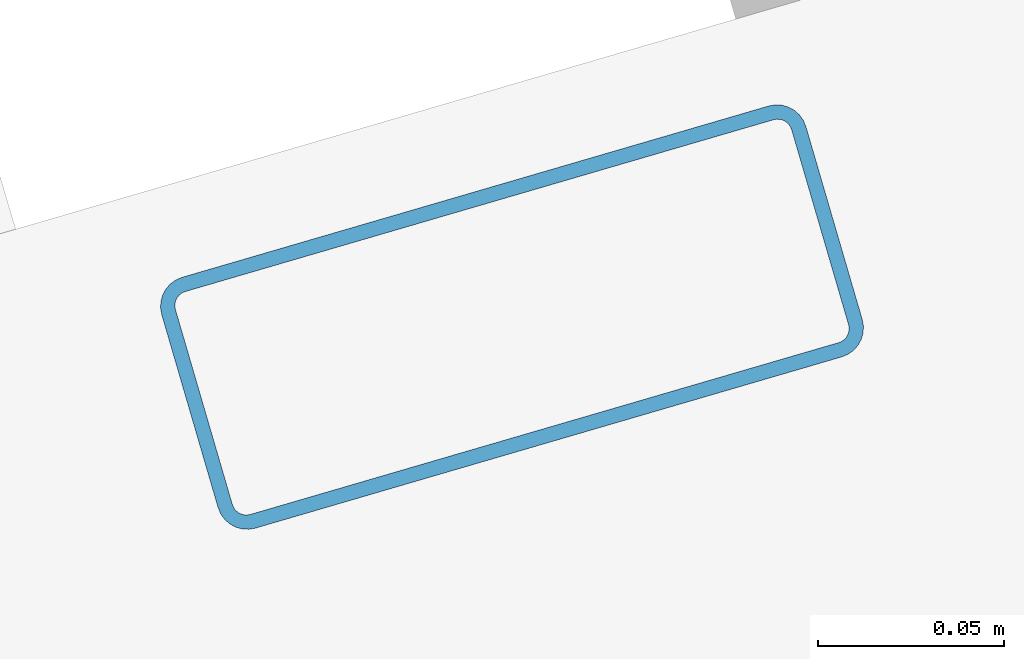
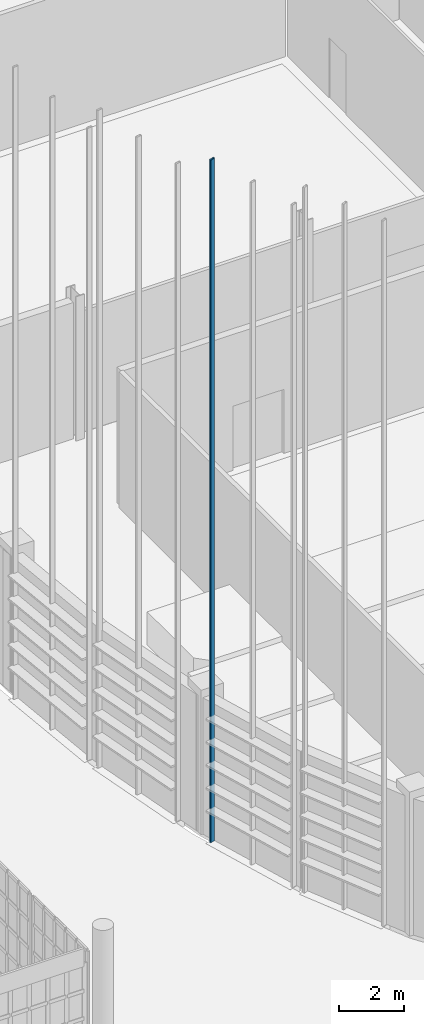
# One storey, part 75 of 372: 1 member.
"""IFC4 building model written with IfcOpenShell, lengths in metres."""

import ifcopenshell
import ifcopenshell.guid

model = None  # the IFC model being written
_history = None  # IfcOwnerHistory: only IFC2X3 demands one
_inside = {}  # id of a spatial element -> (the spatial element, [elements in it])
_under = {}  # id of a project, library or spatial element -> (it, [spatial elements below it])
_declared = {}  # id of a project -> (the project, [libraries it declares])
_typed = {}  # id of a type object -> (the type object, [elements of that type])
_made_of = {}  # id of a material, layer set ... -> (it, [elements and type objects made of it])


def new_model(schema):
    """Start an empty IFC model of exactly this schema.

    Asked for "IFC4X3", IfcOpenShell would pick the latest addendum, in which some entities
    have other attributes; the version numbers below select the first issue.
    IFC2X3 requires an IfcOwnerHistory on every rooted entity: one is made here for all.
    """
    global model, _history
    if schema == "IFC4X3":
        model = ifcopenshell.file(schema_version=(4, 3, 0, 0))
    else:
        model = ifcopenshell.file(schema=schema)
    _inside.clear()
    _under.clear()
    _declared.clear()
    _typed.clear()
    _made_of.clear()
    _history = None
    if model.schema == "IFC2X3":
        org = make("IfcOrganization", Name="unknown")
        user = make(
            "IfcPersonAndOrganization",
            ThePerson=make("IfcPerson", FamilyName="unknown"),
            TheOrganization=org,
        )
        app = make(
            "IfcApplication",
            ApplicationDeveloper=org,
            Version="unknown",
            ApplicationFullName="unknown",
            ApplicationIdentifier="unknown",
        )
        _history = make(
            "IfcOwnerHistory",
            OwningUser=user,
            OwningApplication=app,
            ChangeAction="ADDED",
            CreationDate=0,
        )
    return model


def make(cls, **values):
    """One entity of the class cls with the attributes given. An attribute that is None is left unset."""
    return model.create_entity(
        cls, **{name: value for name, value in values.items() if value is not None}
    )


def rooted(cls, **values):
    """An entity with a GlobalId (a new one), such as an element, a storey or a relation."""
    return make(cls, GlobalId=ifcopenshell.guid.new(), OwnerHistory=_history, **values)


def si_unit(unit_type, name, prefix=None):
    """IfcSIUnit, for example si_unit("LENGTHUNIT", "METRE", prefix="MILLI")."""
    return make("IfcSIUnit", UnitType=unit_type, Prefix=prefix, Name=name)


def assignment(units):
    """IfcUnitAssignment: the units of a project."""
    return None if units is None else make("IfcUnitAssignment", Units=units)


def point(xyz):
    """IfcCartesianPoint."""
    return None if xyz is None else make("IfcCartesianPoint", Coordinates=xyz)


def direction(xyz):
    """IfcDirection."""
    return None if xyz is None else make("IfcDirection", DirectionRatios=xyz)


def frame(location, z_axis=None, x_axis=None):
    """IfcAxis2Placement3D, a coordinate frame: its origin and axes. An axis left out is left unset."""
    return make(
        "IfcAxis2Placement3D",
        Location=point(location),
        Axis=direction(z_axis),
        RefDirection=direction(x_axis),
    )


def frame_2d(location, x_axis=None):
    """IfcAxis2Placement2D, a coordinate frame in the plane: its origin and x axis."""
    return make(
        "IfcAxis2Placement2D", Location=point(location), RefDirection=direction(x_axis)
    )


def origin():
    """The frame at (0, 0, 0) with its axes left unset."""
    return frame((0.0, 0.0, 0.0))


def origin_2d():
    """The frame at (0, 0) in the plane with its x axis left unset."""
    return frame_2d((0.0, 0.0))


def place(relative_to, where):
    """IfcLocalPlacement: puts the frame where relative to a parent placement (None: the world)."""
    return make(
        "IfcLocalPlacement", PlacementRelTo=relative_to, RelativePlacement=where
    )


def context(
    kind, dimensions, precision=None, world=None, true_north=None, identifier=None
):
    """IfcGeometricRepresentationContext, for example the 3D "Model" context."""
    return make(
        "IfcGeometricRepresentationContext",
        ContextIdentifier=identifier,
        ContextType=kind,
        CoordinateSpaceDimension=dimensions,
        Precision=precision,
        WorldCoordinateSystem=world,
        TrueNorth=true_north,
    )


def subcontext(parent, identifier, kind, view, scale=None):
    """IfcGeometricRepresentationSubContext, for example "Body" below "Model"."""
    return make(
        "IfcGeometricRepresentationSubContext",
        ContextIdentifier=identifier,
        ContextType=kind,
        ParentContext=parent,
        TargetScale=scale,
        TargetView=view,
    )


def project(units=None, contexts=None):
    """IfcProject with its units and contexts."""
    return rooted(
        "IfcProject",
        Name="project",
        RepresentationContexts=contexts,
        UnitsInContext=assignment(units),
    )


def spatial(cls, under=None, at=None, **own):
    """A site, building, storey or space (cls), placed at a placement, below another one or the project."""
    s = rooted(cls, ObjectPlacement=at, **own)
    if under is not None:
        _under.setdefault(under.id(), (under, []))[1].append(s)
    return s


def profile(cls, at=None, kind="AREA", **sizes):
    """A parametric profile (cls). Its sizes go by their IFC names, for example OverallWidth=200.0."""
    return make(cls, ProfileType=kind, Position=at, **sizes)


def hollow_rectangle(**sizes):
    """IfcRectangleHollowProfileDef."""
    return profile("IfcRectangleHollowProfileDef", **sizes)


def extrude(swept, where, along, depth):
    """IfcExtrudedAreaSolid: the profile swept, set in the frame where, extruded along a direction by depth."""
    return make(
        "IfcExtrudedAreaSolid",
        SweptArea=swept,
        Position=where,
        ExtrudedDirection=direction(along),
        Depth=depth,
    )


def shape(context_of_items, identifier, shape_type, items):
    """IfcShapeRepresentation: the items that make up one representation, for example the "Body"."""
    return make(
        "IfcShapeRepresentation",
        ContextOfItems=context_of_items,
        RepresentationIdentifier=identifier,
        RepresentationType=shape_type,
        Items=items,
    )


def material(Name=None, Category=None):
    """IfcMaterial."""
    return make("IfcMaterial", Name=Name, Category=Category)


def material_profile(
    of_material, cross_section, Name=None, Category=None, Priority=None
):
    """IfcMaterialProfile: a cross section and its material."""
    return make(
        "IfcMaterialProfile",
        Name=Name,
        Material=of_material,
        Profile=cross_section,
        Priority=Priority,
        Category=Category,
    )


def profile_set(profiles, Name=None, composite=None):
    """IfcMaterialProfileSet."""
    return make(
        "IfcMaterialProfileSet",
        Name=Name,
        MaterialProfiles=profiles,
        CompositeProfile=composite,
    )


def made_of(thing, what):
    """Note that an element or type object is made of a material, layer set ...; save() writes the relation."""
    if what is not None:
        _made_of.setdefault(what.id(), (what, []))[1].append(thing)
    return thing


def type_object(cls, material=None, **own):
    """A type object (cls), such as IfcWallType, which elements share."""
    return made_of(rooted(cls, **own), material)


def element(
    cls,
    number,
    at=None,
    inside=None,
    cuts=None,
    type_object=None,
    material=None,
    context=None,
    identifier="Body",
    shape_type=None,
    held_by="IfcProductDefinitionShape",
    body=None,
    shapes=None,
    **own,
):
    """One element of the class cls, such as IfcWall. Its Tag is "e" and its number.

    at: its placement. inside: the storey or other place that contains it. cuts: it is an
    opening in that element (IfcRelVoidsElement). A single representation is given by context,
    identifier, shape_type and body (its items); several are given by shapes. held_by: the class
    of the entity that holds the representations. save() writes the other relations.
    """
    e = rooted(cls, Tag="e%d" % number, ObjectPlacement=at, **own)
    if body is not None:
        shapes = [shape(context, identifier, shape_type, body)]
    if shapes is not None:
        e.Representation = make(held_by, Representations=shapes)
    if inside is not None:
        _inside.setdefault(inside.id(), (inside, []))[1].append(e)
    if cuts is not None:
        rooted(
            "IfcRelVoidsElement", RelatingBuildingElement=cuts, RelatedOpeningElement=e
        )
    if type_object is not None:
        _typed.setdefault(type_object.id(), (type_object, []))[1].append(e)
    return made_of(e, material)


def aggregate(whole, parts):
    """IfcRelAggregates: a whole, such as a stair, and the parts it consists of."""
    return rooted("IfcRelAggregates", RelatingObject=whole, RelatedObjects=parts)


def save(model, path):
    """Write the relations noted so far, then the file.

    IfcRelAggregates (storeys below a building ...), IfcRelContainedInSpatialStructure (elements
    in a storey), IfcRelDefinesByType, IfcRelAssociatesMaterial and IfcRelDeclares: one each for
    every whole, place, type object, material and project.
    """
    for whole, parts in _under.values():
        aggregate(whole, parts)
    for where, things in _inside.values():
        rooted(
            "IfcRelContainedInSpatialStructure",
            RelatedElements=things,
            RelatingStructure=where,
        )
    for kind, things in _typed.values():
        rooted("IfcRelDefinesByType", RelatedObjects=things, RelatingType=kind)
    for what, things in _made_of.values():
        rooted("IfcRelAssociatesMaterial", RelatedObjects=things, RelatingMaterial=what)
    for by, libraries in _declared.values():
        rooted("IfcRelDeclares", RelatingContext=by, RelatedDefinitions=libraries)
    model.write(path)


model = new_model("IFC4")

# Units and contexts
model_context = context("Model", 3, precision=1e-05, world=origin(), true_north=direction((0.0, 1.0)))
body_context = subcontext(model_context, "Body", "Model", "MODEL_VIEW")
ifc_project = project(units=[si_unit("LENGTHUNIT", "METRE"), si_unit("AREAUNIT", "SQUARE_METRE"), si_unit("VOLUMEUNIT", "CUBIC_METRE"), si_unit("PLANEANGLEUNIT", "RADIAN"), si_unit("MASSUNIT", "GRAM", prefix="KILO")], contexts=[model_context])

# Site, building, storey
site_placement = place(None, origin())
site = spatial("IfcSite", under=ifc_project, at=site_placement, CompositionType="ELEMENT")
building_placement = place(site_placement, origin())
building = spatial("IfcBuilding", under=site, at=building_placement, Name="Kaelora Sail Theatre", CompositionType="ELEMENT")
storey_placement = place(building_placement, origin())
storey = spatial("IfcBuildingStorey", under=building, at=storey_placement, Name="L00", CompositionType="ELEMENT", Elevation=0.0)

# Member
ifc_material = material(Name="Anodised aluminium 6063-T6", Category="aluminium")
ifc_material_profile = material_profile(ifc_material, hollow_rectangle(XDim=0.070068359375, YDim=0.179931640625, WallThickness=0.00390625, InnerFilletRadius=0.00390625, OuterFilletRadius=0.008056640625, at=origin_2d()), Name="ALU-MULL 70x180x4")
ifc_profile_set = profile_set([ifc_material_profile], Name="Anodised aluminium 6063-T6")
member_type = type_object("IfcMemberType", Name="ARC-MEM-PST-160", PredefinedType="POST", material=ifc_profile_set)
member_placement = place(storey_placement, frame((26.673095703125, 40.119384765625, 0.0), z_axis=(0.0, 0.0, 1.0), x_axis=(-0.280331656578, 0.959903204662, 0.0)))
element("IfcMember", 1, at=member_placement, inside=storey, type_object=member_type, Name="Main Theatre Sail Drum solar louvre vertical support post C18-3", PredefinedType="POST", context=body_context, shape_type="SweptSolid", body=[
    extrude(hollow_rectangle(XDim=0.070068359375, YDim=0.179931640625, WallThickness=0.00390625, InnerFilletRadius=0.00390625, OuterFilletRadius=0.008056640625, at=origin_2d()), origin(), (0.0, 0.0, 1.0), 25.54248046875),
])

save(model, "model.ifc")
